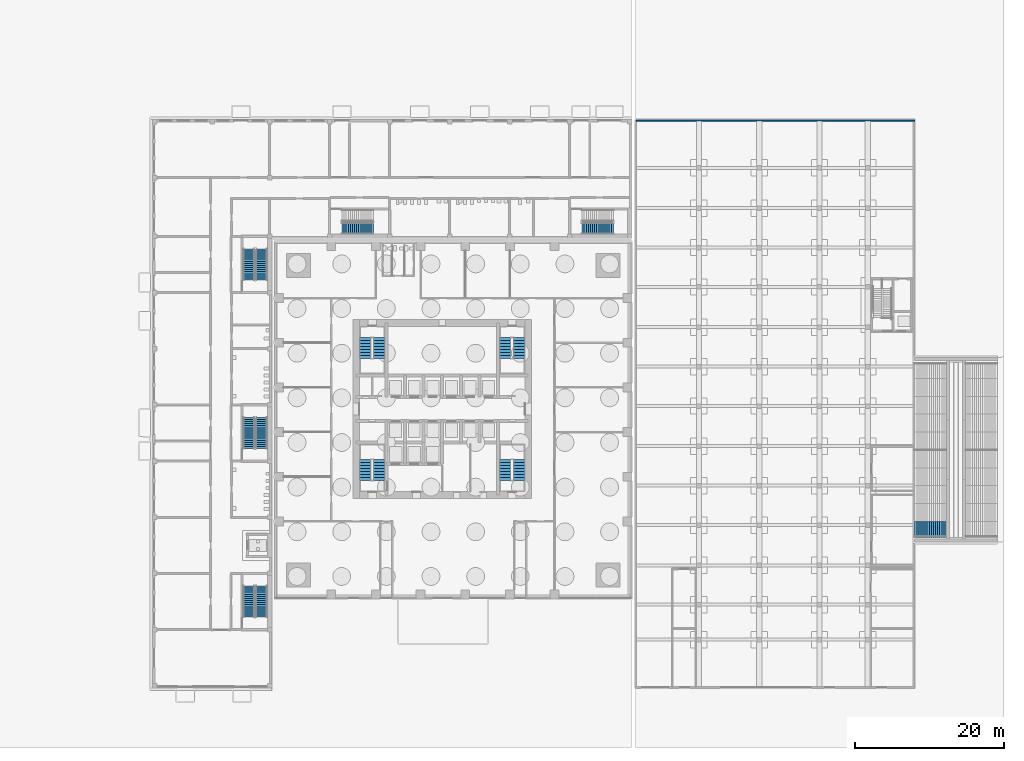
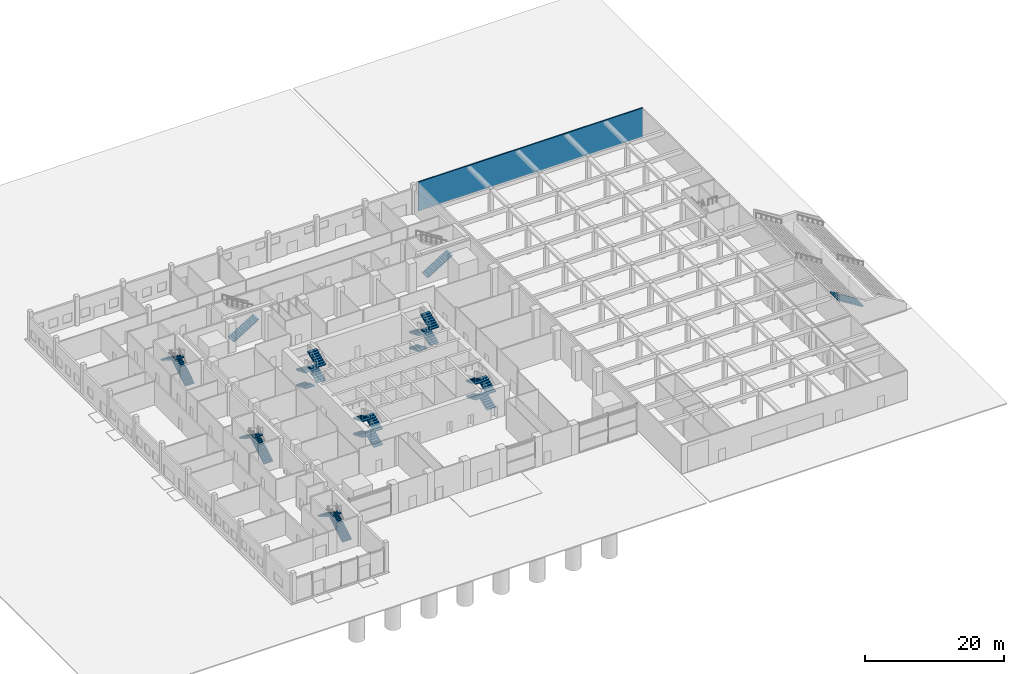
# One storey, part 21 of 33: 25 stair flights, 1 wall, 10 elements without a shape of their own.
"""IFC4 building model written with IfcOpenShell, lengths in metres."""

from ifc_helpers import new_model, si_unit, direction, frame, frame_2d, origin, place, context, subcontext, project, spatial, polyline, rectangle, outline, extrude, material, layer, layer_set, type_object, element, aggregate, save


model = new_model("IFC4")

# Units and contexts
model_context = context("Model", 3, precision=1e-05, world=origin(), true_north=direction((0.0, 1.0)))
body_context = subcontext(model_context, "Body", "Model", "MODEL_VIEW")
ifc_project = project(units=[si_unit("LENGTHUNIT", "METRE"), si_unit("AREAUNIT", "SQUARE_METRE"), si_unit("VOLUMEUNIT", "CUBIC_METRE"), si_unit("PLANEANGLEUNIT", "RADIAN"), si_unit("MASSUNIT", "GRAM", prefix="KILO")], contexts=[model_context])

# Site, building, storey
site_placement = place(None, origin())
site = spatial("IfcSite", under=ifc_project, at=site_placement, CompositionType="ELEMENT")
building_placement = place(site_placement, origin())
building = spatial("IfcBuilding", under=site, at=building_placement, Name="Amberfall Residences", CompositionType="ELEMENT")
storey_placement = place(building_placement, origin())
storey = spatial("IfcBuildingStorey", under=building, at=storey_placement, Name="L00", CompositionType="ELEMENT", Elevation=0.0)

# Wall
ifc_material_1 = material(Name="Reinforced concrete C40", Category="concrete")
ifc_layer = layer(ifc_material_1, 0.199951171875)
ifc_layer_set = layer_set([ifc_layer], Name="Car park wall 200")
wall_type = type_object("IfcWallType", Name="Car park wall 200", PredefinedType="SOLIDWALL", material=ifc_layer_set)
wall_placement = place(storey_placement, frame((100.60009765625, 84.300048828125, 0.0), z_axis=(0.0, 0.0, 1.0), x_axis=(1.0, 0.0, 0.0)))
element("IfcWall", 1, at=wall_placement, inside=storey, type_object=wall_type, Name="Car park north wall", PredefinedType="SOLIDWALL", context=body_context, shape_type="SweptSolid", body=[
    extrude(rectangle(XDim=37.39990234375, YDim=0.199951171875, at=frame_2d((18.699951171875, 0.0))), origin(), (0.0, 0.0, 1.0), 5.080078125),
])

# Stair, stair flight
stair_type_1 = type_object("IfcStairType", Name="Deck stair 24000", PredefinedType="STRAIGHT_RUN_STAIR", material=ifc_material_1)
stair_1_placement = place(storey_placement, origin())
stair_1 = element("IfcStair", 2, at=stair_1_placement, inside=storey, type_object=stair_type_1, Name="Garden deck broad stair", PredefinedType="STRAIGHT_RUN_STAIR")
stair_flight_type_1 = type_object("IfcStairFlightType", Name="Deck stair flight 24000", PredefinedType="STRAIGHT", material=ifc_material_1)
stair_flight_1_placement = place(storey_placement, frame((142.199951171875, 29.199951171875, 2.75), z_axis=(0.0, 0.0, 1.0), x_axis=(-1.0, 0.0, 0.0)))
stair_flight_1 = element("IfcStairFlight", 3, at=stair_flight_1_placement, type_object=stair_flight_type_1, Name="GST1 flight 11", NumberOfRisers=16, NumberOfTreads=15, PredefinedType="STRAIGHT", RiserHeight=0.171875, TreadLength=0.28, context=body_context, shape_type="SweptSolid", body=[
    extrude(outline(polyline([(0.0, 0.0), (0.0, 0.171875), (0.280029296875, 0.171875), (0.280029296875, 0.34375), (0.56005859375, 0.34375), (0.56005859375, 0.515625), (0.840087890625, 0.515625), (0.840087890625, 0.6875), (1.1201171875, 0.6875), (1.1201171875, 0.859375), (1.39990234375, 0.859375), (1.39990234375, 1.03125), (1.679931640625, 1.03125), (1.679931640625, 1.203125), (1.9599609375, 1.203125), (1.9599609375, 1.375), (2.239990234375, 1.375), (2.239990234375, 1.546875), (2.52001953125, 1.546875), (2.52001953125, 1.71875), (2.800048828125, 1.71875), (2.800048828125, 1.890625), (3.080078125, 1.890625), (3.080078125, 2.0625), (3.360107421875, 2.0625), (3.360107421875, 2.234375), (3.639892578125, 2.234375), (3.639892578125, 2.40625), (3.919921875, 2.40625), (3.919921875, 2.578125), (4.199951171875, 2.578125), (4.199951171875, 2.75), (4.199951171875, 2.40234375), (0.28662109375, 0.0), (0.0, 0.0)])), frame((0.0, 1.199951171875, 0.0), z_axis=(0.0, -1.0, 0.0), x_axis=(1.0, 0.0, 0.0)), (0.0, 0.0, 1.0), 2.39990234375),
])
aggregate(stair_1, [stair_flight_1])

# Stair, stair flights
ifc_material_2 = material(Name="Concrete C40", Category="concrete")
stair_type_2 = type_object("IfcStairType", Name="School stair", PredefinedType="HALF_TURN_STAIR", material=ifc_material_2)
stair_2_placement = place(storey_placement, origin())
stair_2 = element("IfcStair", 4, at=stair_2_placement, inside=storey, type_object=stair_type_2, Name="L00 Stair SS1", PredefinedType="HALF_TURN_STAIR")
stair_flight_type_2 = type_object("IfcStairFlightType", Name="School stair flight", PredefinedType="STRAIGHT", material=ifc_material_2)
stair_flight_2_placement = place(storey_placement, frame((50.22509765625, 17.52490234375, 0.0), z_axis=(0.0, 0.0, 1.0), x_axis=(0.0, 1.0, 0.0)))
stair_flight_2 = element("IfcStairFlight", 5, at=stair_flight_2_placement, type_object=stair_flight_type_2, Name="SS1 flight 1", NumberOfRisers=16, NumberOfTreads=15, PredefinedType="STRAIGHT", RiserHeight=0.171875, TreadLength=0.28, context=body_context, shape_type="SweptSolid", body=[
    extrude(outline(polyline([(0.0, 0.0), (0.0, 0.171875), (0.280029296875, 0.171875), (0.280029296875, 0.34375), (0.56005859375, 0.34375), (0.56005859375, 0.515625), (0.840087890625, 0.515625), (0.840087890625, 0.6875), (1.1201171875, 0.6875), (1.1201171875, 0.859375), (1.39990234375, 0.859375), (1.39990234375, 1.03125), (1.679931640625, 1.03125), (1.679931640625, 1.203125), (1.9599609375, 1.203125), (1.9599609375, 1.375), (2.239990234375, 1.375), (2.239990234375, 1.546875), (2.52001953125, 1.546875), (2.52001953125, 1.71875), (2.800048828125, 1.71875), (2.800048828125, 1.890625), (3.080078125, 1.890625), (3.080078125, 2.0625), (3.360107421875, 2.0625), (3.360107421875, 2.234375), (3.639892578125, 2.234375), (3.639892578125, 2.40625), (3.919921875, 2.40625), (3.919921875, 2.578125), (4.199951171875, 2.578125), (4.199951171875, 2.75), (4.199951171875, 2.40234375), (0.28662109375, 0.0), (0.0, 0.0)])), frame((0.0, 0.77490234375, 0.0), z_axis=(0.0, -1.0, 0.0), x_axis=(1.0, 0.0, 0.0)), (0.0, 0.0, 1.0), 1.550048828125),
])
stair_flight_3_placement = place(storey_placement, frame((48.52490234375, 21.72509765625, 2.75), z_axis=(0.0, 0.0, 1.0), x_axis=(0.0, -1.0, 0.0)))
stair_flight_3 = element("IfcStairFlight", 6, at=stair_flight_3_placement, type_object=stair_flight_type_2, Name="SS1 flight 2", NumberOfRisers=16, NumberOfTreads=15, PredefinedType="STRAIGHT", RiserHeight=0.171875, TreadLength=0.28, context=body_context, shape_type="SweptSolid", body=[
    extrude(outline(polyline([(0.0, 0.0), (0.0, 0.171875), (0.280029296875, 0.171875), (0.280029296875, 0.34375), (0.56005859375, 0.34375), (0.56005859375, 0.515625), (0.840087890625, 0.515625), (0.840087890625, 0.6875), (1.1201171875, 0.6875), (1.1201171875, 0.859375), (1.39990234375, 0.859375), (1.39990234375, 1.03125), (1.679931640625, 1.03125), (1.679931640625, 1.203125), (1.9599609375, 1.203125), (1.9599609375, 1.375), (2.239990234375, 1.375), (2.239990234375, 1.546875), (2.52001953125, 1.546875), (2.52001953125, 1.71875), (2.800048828125, 1.71875), (2.800048828125, 1.890625), (3.080078125, 1.890625), (3.080078125, 2.0625), (3.360107421875, 2.0625), (3.360107421875, 2.234375), (3.639892578125, 2.234375), (3.639892578125, 2.40625), (3.919921875, 2.40625), (3.919921875, 2.578125), (4.199951171875, 2.578125), (4.199951171875, 2.75), (4.199951171875, 2.40234375), (0.28662109375, 0.0), (0.0, 0.0)])), frame((0.0, 0.77490234375, 0.0), z_axis=(0.0, -1.0, 0.0), x_axis=(1.0, 0.0, 0.0)), (0.0, 0.0, 1.0), 1.550048828125),
])
aggregate(stair_2, [stair_flight_2, stair_flight_3])

stair_3_placement = place(storey_placement, origin())
stair_3 = element("IfcStair", 7, at=stair_3_placement, inside=storey, type_object=stair_type_2, Name="L00 Stair SS2", PredefinedType="HALF_TURN_STAIR")
stair_flight_4_placement = place(storey_placement, frame((50.22509765625, 40.175048828125, 0.0), z_axis=(0.0, 0.0, 1.0), x_axis=(0.0, 1.0, 0.0)))
stair_flight_4 = element("IfcStairFlight", 8, at=stair_flight_4_placement, type_object=stair_flight_type_2, Name="SS2 flight 1", NumberOfRisers=16, NumberOfTreads=15, PredefinedType="STRAIGHT", RiserHeight=0.171875, TreadLength=0.28, context=body_context, shape_type="SweptSolid", body=[
    extrude(outline(polyline([(0.0, 0.0), (0.0, 0.171875), (0.280029296875, 0.171875), (0.280029296875, 0.34375), (0.56005859375, 0.34375), (0.56005859375, 0.515625), (0.840087890625, 0.515625), (0.840087890625, 0.6875), (1.1201171875, 0.6875), (1.1201171875, 0.859375), (1.39990234375, 0.859375), (1.39990234375, 1.03125), (1.679931640625, 1.03125), (1.679931640625, 1.203125), (1.9599609375, 1.203125), (1.9599609375, 1.375), (2.239990234375, 1.375), (2.239990234375, 1.546875), (2.52001953125, 1.546875), (2.52001953125, 1.71875), (2.800048828125, 1.71875), (2.800048828125, 1.890625), (3.080078125, 1.890625), (3.080078125, 2.0625), (3.360107421875, 2.0625), (3.360107421875, 2.234375), (3.639892578125, 2.234375), (3.639892578125, 2.40625), (3.919921875, 2.40625), (3.919921875, 2.578125), (4.199951171875, 2.578125), (4.199951171875, 2.75), (4.199951171875, 2.40234375), (0.28662109375, 0.0), (0.0, 0.0)])), frame((0.0, 0.77490234375, 0.0), z_axis=(0.0, -1.0, 0.0), x_axis=(1.0, 0.0, 0.0)), (0.0, 0.0, 1.0), 1.550048828125),
])
stair_flight_5_placement = place(storey_placement, frame((48.52490234375, 44.375, 2.75), z_axis=(0.0, 0.0, 1.0), x_axis=(0.0, -1.0, 0.0)))
stair_flight_5 = element("IfcStairFlight", 9, at=stair_flight_5_placement, type_object=stair_flight_type_2, Name="SS2 flight 2", NumberOfRisers=16, NumberOfTreads=15, PredefinedType="STRAIGHT", RiserHeight=0.171875, TreadLength=0.28, context=body_context, shape_type="SweptSolid", body=[
    extrude(outline(polyline([(0.0, 0.0), (0.0, 0.171875), (0.280029296875, 0.171875), (0.280029296875, 0.34375), (0.56005859375, 0.34375), (0.56005859375, 0.515625), (0.840087890625, 0.515625), (0.840087890625, 0.6875), (1.1201171875, 0.6875), (1.1201171875, 0.859375), (1.39990234375, 0.859375), (1.39990234375, 1.03125), (1.679931640625, 1.03125), (1.679931640625, 1.203125), (1.9599609375, 1.203125), (1.9599609375, 1.375), (2.239990234375, 1.375), (2.239990234375, 1.546875), (2.52001953125, 1.546875), (2.52001953125, 1.71875), (2.800048828125, 1.71875), (2.800048828125, 1.890625), (3.080078125, 1.890625), (3.080078125, 2.0625), (3.360107421875, 2.0625), (3.360107421875, 2.234375), (3.639892578125, 2.234375), (3.639892578125, 2.40625), (3.919921875, 2.40625), (3.919921875, 2.578125), (4.199951171875, 2.578125), (4.199951171875, 2.75), (4.199951171875, 2.40234375), (0.28662109375, 0.0), (0.0, 0.0)])), frame((0.0, 0.77490234375, 0.0), z_axis=(0.0, -1.0, 0.0), x_axis=(1.0, 0.0, 0.0)), (0.0, 0.0, 1.0), 1.550048828125),
])
aggregate(stair_3, [stair_flight_4, stair_flight_5])

stair_4_placement = place(storey_placement, origin())
stair_4 = element("IfcStair", 10, at=stair_4_placement, inside=storey, type_object=stair_type_2, Name="L00 Stair SS3", PredefinedType="HALF_TURN_STAIR")
stair_flight_6_placement = place(storey_placement, frame((50.22509765625, 62.824951171875, 0.0), z_axis=(0.0, 0.0, 1.0), x_axis=(0.0, 1.0, 0.0)))
stair_flight_6 = element("IfcStairFlight", 11, at=stair_flight_6_placement, type_object=stair_flight_type_2, Name="SS3 flight 1", NumberOfRisers=16, NumberOfTreads=15, PredefinedType="STRAIGHT", RiserHeight=0.171875, TreadLength=0.28, context=body_context, shape_type="SweptSolid", body=[
    extrude(outline(polyline([(0.0, 0.0), (0.0, 0.171875), (0.280029296875, 0.171875), (0.280029296875, 0.34375), (0.56005859375, 0.34375), (0.56005859375, 0.515625), (0.840087890625, 0.515625), (0.840087890625, 0.6875), (1.1201171875, 0.6875), (1.1201171875, 0.859375), (1.39990234375, 0.859375), (1.39990234375, 1.03125), (1.679931640625, 1.03125), (1.679931640625, 1.203125), (1.9599609375, 1.203125), (1.9599609375, 1.375), (2.239990234375, 1.375), (2.239990234375, 1.546875), (2.52001953125, 1.546875), (2.52001953125, 1.71875), (2.800048828125, 1.71875), (2.800048828125, 1.890625), (3.080078125, 1.890625), (3.080078125, 2.0625), (3.360107421875, 2.0625), (3.360107421875, 2.234375), (3.639892578125, 2.234375), (3.639892578125, 2.40625), (3.919921875, 2.40625), (3.919921875, 2.578125), (4.199951171875, 2.578125), (4.199951171875, 2.75), (4.199951171875, 2.40234375), (0.28662109375, 0.0), (0.0, 0.0)])), frame((0.0, 0.77490234375, 0.0), z_axis=(0.0, -1.0, 0.0), x_axis=(1.0, 0.0, 0.0)), (0.0, 0.0, 1.0), 1.550048828125),
])
stair_flight_7_placement = place(storey_placement, frame((48.52490234375, 67.02490234375, 2.75), z_axis=(0.0, 0.0, 1.0), x_axis=(0.0, -1.0, 0.0)))
stair_flight_7 = element("IfcStairFlight", 12, at=stair_flight_7_placement, type_object=stair_flight_type_2, Name="SS3 flight 2", NumberOfRisers=16, NumberOfTreads=15, PredefinedType="STRAIGHT", RiserHeight=0.171875, TreadLength=0.28, context=body_context, shape_type="SweptSolid", body=[
    extrude(outline(polyline([(0.0, 0.0), (0.0, 0.171875), (0.280029296875, 0.171875), (0.280029296875, 0.34375), (0.56005859375, 0.34375), (0.56005859375, 0.515625), (0.840087890625, 0.515625), (0.840087890625, 0.6875), (1.1201171875, 0.6875), (1.1201171875, 0.859375), (1.39990234375, 0.859375), (1.39990234375, 1.03125), (1.679931640625, 1.03125), (1.679931640625, 1.203125), (1.9599609375, 1.203125), (1.9599609375, 1.375), (2.239990234375, 1.375), (2.239990234375, 1.546875), (2.52001953125, 1.546875), (2.52001953125, 1.71875), (2.800048828125, 1.71875), (2.800048828125, 1.890625), (3.080078125, 1.890625), (3.080078125, 2.0625), (3.360107421875, 2.0625), (3.360107421875, 2.234375), (3.639892578125, 2.234375), (3.639892578125, 2.40625), (3.919921875, 2.40625), (3.919921875, 2.578125), (4.199951171875, 2.578125), (4.199951171875, 2.75), (4.199951171875, 2.40234375), (0.28662109375, 0.0), (0.0, 0.0)])), frame((0.0, 0.77490234375, 0.0), z_axis=(0.0, -1.0, 0.0), x_axis=(1.0, 0.0, 0.0)), (0.0, 0.0, 1.0), 1.550048828125),
])
aggregate(stair_4, [stair_flight_6, stair_flight_7])

# Stair, stair flight
stair_5_placement = place(storey_placement, origin())
stair_5 = element("IfcStair", 13, at=stair_5_placement, inside=storey, type_object=stair_type_2, Name="L00 Stair SS4", PredefinedType="HALF_TURN_STAIR")
stair_flight_8_placement = place(storey_placement, frame((61.0419921875, 69.77490234375, 0.0), z_axis=(0.0, 0.0, 1.0), x_axis=(1.0, 0.0, 0.0)))
stair_flight_8 = element("IfcStairFlight", 14, at=stair_flight_8_placement, type_object=stair_flight_type_2, Name="SS4 flight 1", NumberOfRisers=16, NumberOfTreads=15, PredefinedType="STRAIGHT", RiserHeight=0.171875, TreadLength=0.28, context=body_context, shape_type="SweptSolid", body=[
    extrude(outline(polyline([(0.0, 0.0), (0.0, 0.171875), (0.280029296875, 0.171875), (0.280029296875, 0.34375), (0.56005859375, 0.34375), (0.56005859375, 0.515625), (0.840087890625, 0.515625), (0.840087890625, 0.6875), (1.1201171875, 0.6875), (1.1201171875, 0.859375), (1.39990234375, 0.859375), (1.39990234375, 1.03125), (1.679931640625, 1.03125), (1.679931640625, 1.203125), (1.9599609375, 1.203125), (1.9599609375, 1.375), (2.239990234375, 1.375), (2.239990234375, 1.546875), (2.52001953125, 1.546875), (2.52001953125, 1.71875), (2.800048828125, 1.71875), (2.800048828125, 1.890625), (3.080078125, 1.890625), (3.080078125, 2.0625), (3.360107421875, 2.0625), (3.360107421875, 2.234375), (3.639892578125, 2.234375), (3.639892578125, 2.40625), (3.919921875, 2.40625), (3.919921875, 2.578125), (4.199951171875, 2.578125), (4.199951171875, 2.75), (4.199951171875, 2.40234375), (0.28662109375, 0.0), (0.0, 0.0)])), frame((0.0, 0.77490234375, 0.0), z_axis=(0.0, -1.0, 0.0), x_axis=(1.0, 0.0, 0.0)), (0.0, 0.0, 1.0), 1.550048828125),
])
aggregate(stair_5, [stair_flight_8])

stair_6_placement = place(storey_placement, origin())
stair_6 = element("IfcStair", 15, at=stair_6_placement, inside=storey, type_object=stair_type_2, Name="L00 Stair SS5", PredefinedType="HALF_TURN_STAIR")
stair_flight_9_placement = place(storey_placement, frame((93.30810546875, 69.77490234375, 0.0), z_axis=(0.0, 0.0, 1.0), x_axis=(1.0, 0.0, 0.0)))
stair_flight_9 = element("IfcStairFlight", 16, at=stair_flight_9_placement, type_object=stair_flight_type_2, Name="SS5 flight 1", NumberOfRisers=16, NumberOfTreads=15, PredefinedType="STRAIGHT", RiserHeight=0.171875, TreadLength=0.28, context=body_context, shape_type="SweptSolid", body=[
    extrude(outline(polyline([(0.0, 0.0), (0.0, 0.171875), (0.280029296875, 0.171875), (0.280029296875, 0.34375), (0.56005859375, 0.34375), (0.56005859375, 0.515625), (0.840087890625, 0.515625), (0.840087890625, 0.6875), (1.1201171875, 0.6875), (1.1201171875, 0.859375), (1.39990234375, 0.859375), (1.39990234375, 1.03125), (1.679931640625, 1.03125), (1.679931640625, 1.203125), (1.9599609375, 1.203125), (1.9599609375, 1.375), (2.239990234375, 1.375), (2.239990234375, 1.546875), (2.52001953125, 1.546875), (2.52001953125, 1.71875), (2.800048828125, 1.71875), (2.800048828125, 1.890625), (3.080078125, 1.890625), (3.080078125, 2.0625), (3.360107421875, 2.0625), (3.360107421875, 2.234375), (3.639892578125, 2.234375), (3.639892578125, 2.40625), (3.919921875, 2.40625), (3.919921875, 2.578125), (4.199951171875, 2.578125), (4.199951171875, 2.75), (4.199951171875, 2.40234375), (0.28662109375, 0.0), (0.0, 0.0)])), frame((0.0, 0.77490234375, 0.0), z_axis=(0.0, -1.0, 0.0), x_axis=(1.0, 0.0, 0.0)), (0.0, 0.0, 1.0), 1.550048828125),
])
aggregate(stair_6, [stair_flight_9])

# Stair, stair flights
stair_type_3 = type_object("IfcStairType", Name="Exit stair 32 risers 171.9 mm", PredefinedType="HALF_TURN_STAIR", material=ifc_material_2)
stair_7_placement = place(storey_placement, origin())
stair_7 = element("IfcStair", 17, at=stair_7_placement, inside=storey, type_object=stair_type_3, Name="L00 Exit stair 1", PredefinedType="HALF_TURN_STAIR")
stair_flight_type_3 = type_object("IfcStairFlightType", Name="Stair flight 8 risers 171.9 mm", PredefinedType="STRAIGHT", material=ifc_material_2)
stair_flight_10_placement = place(storey_placement, frame((66.050048828125, 35.89990234375, 0.0), z_axis=(0.0, 0.0, 1.0), x_axis=(0.0, 1.0, 0.0)))
stair_flight_10 = element("IfcStairFlight", 18, at=stair_flight_10_placement, type_object=stair_flight_type_3, Name="ST1 flight 1", NumberOfRisers=8, NumberOfTreads=7, PredefinedType="STRAIGHT", RiserHeight=0.171875, TreadLength=0.4, context=body_context, shape_type="SweptSolid", body=[
    extrude(outline(polyline([(0.0, 0.0), (0.0, 0.171875), (0.39990234375, 0.171875), (0.39990234375, 0.34375), (0.800048828125, 0.34375), (0.800048828125, 0.515625), (1.199951171875, 0.515625), (1.199951171875, 0.6875), (1.60009765625, 0.6875), (1.60009765625, 0.859375), (2.0, 0.859375), (2.0, 1.03125), (2.39990234375, 1.03125), (2.39990234375, 1.203125), (2.800048828125, 1.203125), (2.800048828125, 1.375), (2.800048828125, 1.0400390625), (0.379638671875, 0.0), (0.0, 0.0)])), frame((0.0, 0.75, 0.0), z_axis=(0.0, -1.0, 0.0), x_axis=(1.0, 0.0, 0.0)), (0.0, 0.0, 1.0), 1.5),
])
stair_flight_11_placement = place(storey_placement, frame((64.14990234375, 38.699951171875, 1.375), z_axis=(0.0, 0.0, 1.0), x_axis=(0.0, -1.0, 0.0)))
stair_flight_11 = element("IfcStairFlight", 19, at=stair_flight_11_placement, type_object=stair_flight_type_3, Name="ST1 flight 2", NumberOfRisers=8, NumberOfTreads=7, PredefinedType="STRAIGHT", RiserHeight=0.171875, TreadLength=0.4, context=body_context, shape_type="SweptSolid", body=[
    extrude(outline(polyline([(0.0, 0.0), (0.0, 0.171875), (0.39990234375, 0.171875), (0.39990234375, 0.34375), (0.800048828125, 0.34375), (0.800048828125, 0.515625), (1.199951171875, 0.515625), (1.199951171875, 0.6875), (1.60009765625, 0.6875), (1.60009765625, 0.859375), (2.0, 0.859375), (2.0, 1.03125), (2.39990234375, 1.03125), (2.39990234375, 1.203125), (2.800048828125, 1.203125), (2.800048828125, 1.375), (2.800048828125, 1.0400390625), (0.379638671875, 0.0), (0.0, 0.0)])), frame((0.0, 0.75, 0.0), z_axis=(0.0, -1.0, 0.0), x_axis=(1.0, 0.0, 0.0)), (0.0, 0.0, 1.0), 1.5),
])
stair_flight_12_placement = place(storey_placement, frame((66.050048828125, 35.89990234375, 2.75), z_axis=(0.0, 0.0, 1.0), x_axis=(0.0, 1.0, 0.0)))
stair_flight_12 = element("IfcStairFlight", 20, at=stair_flight_12_placement, type_object=stair_flight_type_3, Name="ST1 flight 3", NumberOfRisers=8, NumberOfTreads=7, PredefinedType="STRAIGHT", RiserHeight=0.171875, TreadLength=0.4, context=body_context, shape_type="SweptSolid", body=[
    extrude(outline(polyline([(0.0, 0.0), (0.0, 0.171875), (0.39990234375, 0.171875), (0.39990234375, 0.34375), (0.800048828125, 0.34375), (0.800048828125, 0.515625), (1.199951171875, 0.515625), (1.199951171875, 0.6875), (1.60009765625, 0.6875), (1.60009765625, 0.859375), (2.0, 0.859375), (2.0, 1.03125), (2.39990234375, 1.03125), (2.39990234375, 1.203125), (2.800048828125, 1.203125), (2.800048828125, 1.375), (2.800048828125, 1.0400390625), (0.379638671875, 0.0), (0.0, 0.0)])), frame((0.0, 0.75, 0.0), z_axis=(0.0, -1.0, 0.0), x_axis=(1.0, 0.0, 0.0)), (0.0, 0.0, 1.0), 1.5),
])
stair_flight_13_placement = place(storey_placement, frame((64.14990234375, 38.699951171875, 4.125), z_axis=(0.0, 0.0, 1.0), x_axis=(0.0, -1.0, 0.0)))
stair_flight_13 = element("IfcStairFlight", 21, at=stair_flight_13_placement, type_object=stair_flight_type_3, Name="ST1 flight 4", NumberOfRisers=8, NumberOfTreads=7, PredefinedType="STRAIGHT", RiserHeight=0.171875, TreadLength=0.4, context=body_context, shape_type="SweptSolid", body=[
    extrude(outline(polyline([(0.0, 0.0), (0.0, 0.171875), (0.39990234375, 0.171875), (0.39990234375, 0.34375), (0.800048828125, 0.34375), (0.800048828125, 0.515625), (1.199951171875, 0.515625), (1.199951171875, 0.6875), (1.60009765625, 0.6875), (1.60009765625, 0.859375), (2.0, 0.859375), (2.0, 1.03125), (2.39990234375, 1.03125), (2.39990234375, 1.203125), (2.800048828125, 1.203125), (2.800048828125, 1.375), (2.800048828125, 1.0400390625), (0.379638671875, 0.0), (0.0, 0.0)])), frame((0.0, 0.75, 0.0), z_axis=(0.0, -1.0, 0.0), x_axis=(1.0, 0.0, 0.0)), (0.0, 0.0, 1.0), 1.5),
])
aggregate(stair_7, [stair_flight_10, stair_flight_11, stair_flight_12, stair_flight_13])

stair_8_placement = place(storey_placement, origin())
stair_8 = element("IfcStair", 22, at=stair_8_placement, inside=storey, type_object=stair_type_3, Name="L00 Exit stair 2", PredefinedType="HALF_TURN_STAIR")
stair_flight_14_placement = place(storey_placement, frame((84.85009765625, 35.89990234375, 0.0), z_axis=(0.0, 0.0, 1.0), x_axis=(0.0, 1.0, 0.0)))
stair_flight_14 = element("IfcStairFlight", 23, at=stair_flight_14_placement, type_object=stair_flight_type_3, Name="ST1 flight 1", NumberOfRisers=8, NumberOfTreads=7, PredefinedType="STRAIGHT", RiserHeight=0.171875, TreadLength=0.4, context=body_context, shape_type="SweptSolid", body=[
    extrude(outline(polyline([(0.0, 0.0), (0.0, 0.171875), (0.39990234375, 0.171875), (0.39990234375, 0.34375), (0.800048828125, 0.34375), (0.800048828125, 0.515625), (1.199951171875, 0.515625), (1.199951171875, 0.6875), (1.60009765625, 0.6875), (1.60009765625, 0.859375), (2.0, 0.859375), (2.0, 1.03125), (2.39990234375, 1.03125), (2.39990234375, 1.203125), (2.800048828125, 1.203125), (2.800048828125, 1.375), (2.800048828125, 1.0400390625), (0.379638671875, 0.0), (0.0, 0.0)])), frame((0.0, 0.75, 0.0), z_axis=(0.0, -1.0, 0.0), x_axis=(1.0, 0.0, 0.0)), (0.0, 0.0, 1.0), 1.5),
])
stair_flight_15_placement = place(storey_placement, frame((82.949951171875, 38.699951171875, 1.375), z_axis=(0.0, 0.0, 1.0), x_axis=(0.0, -1.0, 0.0)))
stair_flight_15 = element("IfcStairFlight", 24, at=stair_flight_15_placement, type_object=stair_flight_type_3, Name="ST1 flight 2", NumberOfRisers=8, NumberOfTreads=7, PredefinedType="STRAIGHT", RiserHeight=0.171875, TreadLength=0.4, context=body_context, shape_type="SweptSolid", body=[
    extrude(outline(polyline([(0.0, 0.0), (0.0, 0.171875), (0.39990234375, 0.171875), (0.39990234375, 0.34375), (0.800048828125, 0.34375), (0.800048828125, 0.515625), (1.199951171875, 0.515625), (1.199951171875, 0.6875), (1.60009765625, 0.6875), (1.60009765625, 0.859375), (2.0, 0.859375), (2.0, 1.03125), (2.39990234375, 1.03125), (2.39990234375, 1.203125), (2.800048828125, 1.203125), (2.800048828125, 1.375), (2.800048828125, 1.0400390625), (0.379638671875, 0.0), (0.0, 0.0)])), frame((0.0, 0.75, 0.0), z_axis=(0.0, -1.0, 0.0), x_axis=(1.0, 0.0, 0.0)), (0.0, 0.0, 1.0), 1.5),
])
stair_flight_16_placement = place(storey_placement, frame((84.85009765625, 35.89990234375, 2.75), z_axis=(0.0, 0.0, 1.0), x_axis=(0.0, 1.0, 0.0)))
stair_flight_16 = element("IfcStairFlight", 25, at=stair_flight_16_placement, type_object=stair_flight_type_3, Name="ST1 flight 3", NumberOfRisers=8, NumberOfTreads=7, PredefinedType="STRAIGHT", RiserHeight=0.171875, TreadLength=0.4, context=body_context, shape_type="SweptSolid", body=[
    extrude(outline(polyline([(0.0, 0.0), (0.0, 0.171875), (0.39990234375, 0.171875), (0.39990234375, 0.34375), (0.800048828125, 0.34375), (0.800048828125, 0.515625), (1.199951171875, 0.515625), (1.199951171875, 0.6875), (1.60009765625, 0.6875), (1.60009765625, 0.859375), (2.0, 0.859375), (2.0, 1.03125), (2.39990234375, 1.03125), (2.39990234375, 1.203125), (2.800048828125, 1.203125), (2.800048828125, 1.375), (2.800048828125, 1.0400390625), (0.379638671875, 0.0), (0.0, 0.0)])), frame((0.0, 0.75, 0.0), z_axis=(0.0, -1.0, 0.0), x_axis=(1.0, 0.0, 0.0)), (0.0, 0.0, 1.0), 1.5),
])
stair_flight_17_placement = place(storey_placement, frame((82.949951171875, 38.699951171875, 4.125), z_axis=(0.0, 0.0, 1.0), x_axis=(0.0, -1.0, 0.0)))
stair_flight_17 = element("IfcStairFlight", 26, at=stair_flight_17_placement, type_object=stair_flight_type_3, Name="ST1 flight 4", NumberOfRisers=8, NumberOfTreads=7, PredefinedType="STRAIGHT", RiserHeight=0.171875, TreadLength=0.4, context=body_context, shape_type="SweptSolid", body=[
    extrude(outline(polyline([(0.0, 0.0), (0.0, 0.171875), (0.39990234375, 0.171875), (0.39990234375, 0.34375), (0.800048828125, 0.34375), (0.800048828125, 0.515625), (1.199951171875, 0.515625), (1.199951171875, 0.6875), (1.60009765625, 0.6875), (1.60009765625, 0.859375), (2.0, 0.859375), (2.0, 1.03125), (2.39990234375, 1.03125), (2.39990234375, 1.203125), (2.800048828125, 1.203125), (2.800048828125, 1.375), (2.800048828125, 1.0400390625), (0.379638671875, 0.0), (0.0, 0.0)])), frame((0.0, 0.75, 0.0), z_axis=(0.0, -1.0, 0.0), x_axis=(1.0, 0.0, 0.0)), (0.0, 0.0, 1.0), 1.5),
])
aggregate(stair_8, [stair_flight_14, stair_flight_15, stair_flight_16, stair_flight_17])

stair_9_placement = place(storey_placement, origin())
stair_9 = element("IfcStair", 27, at=stair_9_placement, inside=storey, type_object=stair_type_3, Name="L00 Exit stair 3", PredefinedType="HALF_TURN_STAIR")
stair_flight_18_placement = place(storey_placement, frame((82.949951171875, 55.10009765625, 0.0), z_axis=(0.0, 0.0, 1.0), x_axis=(0.0, -1.0, 0.0)))
stair_flight_18 = element("IfcStairFlight", 28, at=stair_flight_18_placement, type_object=stair_flight_type_3, Name="ST1 flight 1", NumberOfRisers=8, NumberOfTreads=7, PredefinedType="STRAIGHT", RiserHeight=0.171875, TreadLength=0.4, context=body_context, shape_type="SweptSolid", body=[
    extrude(outline(polyline([(0.0, 0.0), (0.0, 0.171875), (0.39990234375, 0.171875), (0.39990234375, 0.34375), (0.800048828125, 0.34375), (0.800048828125, 0.515625), (1.199951171875, 0.515625), (1.199951171875, 0.6875), (1.60009765625, 0.6875), (1.60009765625, 0.859375), (2.0, 0.859375), (2.0, 1.03125), (2.39990234375, 1.03125), (2.39990234375, 1.203125), (2.800048828125, 1.203125), (2.800048828125, 1.375), (2.800048828125, 1.0400390625), (0.379638671875, 0.0), (0.0, 0.0)])), frame((0.0, 0.75, 0.0), z_axis=(0.0, -1.0, 0.0), x_axis=(1.0, 0.0, 0.0)), (0.0, 0.0, 1.0), 1.5),
])
stair_flight_19_placement = place(storey_placement, frame((84.85009765625, 52.300048828125, 1.375), z_axis=(0.0, 0.0, 1.0), x_axis=(0.0, 1.0, 0.0)))
stair_flight_19 = element("IfcStairFlight", 29, at=stair_flight_19_placement, type_object=stair_flight_type_3, Name="ST1 flight 2", NumberOfRisers=8, NumberOfTreads=7, PredefinedType="STRAIGHT", RiserHeight=0.171875, TreadLength=0.4, context=body_context, shape_type="SweptSolid", body=[
    extrude(outline(polyline([(0.0, 0.0), (0.0, 0.171875), (0.39990234375, 0.171875), (0.39990234375, 0.34375), (0.800048828125, 0.34375), (0.800048828125, 0.515625), (1.199951171875, 0.515625), (1.199951171875, 0.6875), (1.60009765625, 0.6875), (1.60009765625, 0.859375), (2.0, 0.859375), (2.0, 1.03125), (2.39990234375, 1.03125), (2.39990234375, 1.203125), (2.800048828125, 1.203125), (2.800048828125, 1.375), (2.800048828125, 1.0400390625), (0.379638671875, 0.0), (0.0, 0.0)])), frame((0.0, 0.75, 0.0), z_axis=(0.0, -1.0, 0.0), x_axis=(1.0, 0.0, 0.0)), (0.0, 0.0, 1.0), 1.5),
])
stair_flight_20_placement = place(storey_placement, frame((82.949951171875, 55.10009765625, 2.75), z_axis=(0.0, 0.0, 1.0), x_axis=(0.0, -1.0, 0.0)))
stair_flight_20 = element("IfcStairFlight", 30, at=stair_flight_20_placement, type_object=stair_flight_type_3, Name="ST1 flight 3", NumberOfRisers=8, NumberOfTreads=7, PredefinedType="STRAIGHT", RiserHeight=0.171875, TreadLength=0.4, context=body_context, shape_type="SweptSolid", body=[
    extrude(outline(polyline([(0.0, 0.0), (0.0, 0.171875), (0.39990234375, 0.171875), (0.39990234375, 0.34375), (0.800048828125, 0.34375), (0.800048828125, 0.515625), (1.199951171875, 0.515625), (1.199951171875, 0.6875), (1.60009765625, 0.6875), (1.60009765625, 0.859375), (2.0, 0.859375), (2.0, 1.03125), (2.39990234375, 1.03125), (2.39990234375, 1.203125), (2.800048828125, 1.203125), (2.800048828125, 1.375), (2.800048828125, 1.0400390625), (0.379638671875, 0.0), (0.0, 0.0)])), frame((0.0, 0.75, 0.0), z_axis=(0.0, -1.0, 0.0), x_axis=(1.0, 0.0, 0.0)), (0.0, 0.0, 1.0), 1.5),
])
stair_flight_21_placement = place(storey_placement, frame((84.85009765625, 52.300048828125, 4.125), z_axis=(0.0, 0.0, 1.0), x_axis=(0.0, 1.0, 0.0)))
stair_flight_21 = element("IfcStairFlight", 31, at=stair_flight_21_placement, type_object=stair_flight_type_3, Name="ST1 flight 4", NumberOfRisers=8, NumberOfTreads=7, PredefinedType="STRAIGHT", RiserHeight=0.171875, TreadLength=0.4, context=body_context, shape_type="SweptSolid", body=[
    extrude(outline(polyline([(0.0, 0.0), (0.0, 0.171875), (0.39990234375, 0.171875), (0.39990234375, 0.34375), (0.800048828125, 0.34375), (0.800048828125, 0.515625), (1.199951171875, 0.515625), (1.199951171875, 0.6875), (1.60009765625, 0.6875), (1.60009765625, 0.859375), (2.0, 0.859375), (2.0, 1.03125), (2.39990234375, 1.03125), (2.39990234375, 1.203125), (2.800048828125, 1.203125), (2.800048828125, 1.375), (2.800048828125, 1.0400390625), (0.379638671875, 0.0), (0.0, 0.0)])), frame((0.0, 0.75, 0.0), z_axis=(0.0, -1.0, 0.0), x_axis=(1.0, 0.0, 0.0)), (0.0, 0.0, 1.0), 1.5),
])
aggregate(stair_9, [stair_flight_18, stair_flight_19, stair_flight_20, stair_flight_21])

stair_10_placement = place(storey_placement, origin())
stair_10 = element("IfcStair", 32, at=stair_10_placement, inside=storey, type_object=stair_type_3, Name="L00 Exit stair 4", PredefinedType="HALF_TURN_STAIR")
stair_flight_22_placement = place(storey_placement, frame((64.14990234375, 55.10009765625, 0.0), z_axis=(0.0, 0.0, 1.0), x_axis=(0.0, -1.0, 0.0)))
stair_flight_22 = element("IfcStairFlight", 33, at=stair_flight_22_placement, type_object=stair_flight_type_3, Name="ST1 flight 1", NumberOfRisers=8, NumberOfTreads=7, PredefinedType="STRAIGHT", RiserHeight=0.171875, TreadLength=0.4, context=body_context, shape_type="SweptSolid", body=[
    extrude(outline(polyline([(0.0, 0.0), (0.0, 0.171875), (0.39990234375, 0.171875), (0.39990234375, 0.34375), (0.800048828125, 0.34375), (0.800048828125, 0.515625), (1.199951171875, 0.515625), (1.199951171875, 0.6875), (1.60009765625, 0.6875), (1.60009765625, 0.859375), (2.0, 0.859375), (2.0, 1.03125), (2.39990234375, 1.03125), (2.39990234375, 1.203125), (2.800048828125, 1.203125), (2.800048828125, 1.375), (2.800048828125, 1.0400390625), (0.379638671875, 0.0), (0.0, 0.0)])), frame((0.0, 0.75, 0.0), z_axis=(0.0, -1.0, 0.0), x_axis=(1.0, 0.0, 0.0)), (0.0, 0.0, 1.0), 1.5),
])
stair_flight_23_placement = place(storey_placement, frame((66.050048828125, 52.300048828125, 1.375), z_axis=(0.0, 0.0, 1.0), x_axis=(0.0, 1.0, 0.0)))
stair_flight_23 = element("IfcStairFlight", 34, at=stair_flight_23_placement, type_object=stair_flight_type_3, Name="ST1 flight 2", NumberOfRisers=8, NumberOfTreads=7, PredefinedType="STRAIGHT", RiserHeight=0.171875, TreadLength=0.4, context=body_context, shape_type="SweptSolid", body=[
    extrude(outline(polyline([(0.0, 0.0), (0.0, 0.171875), (0.39990234375, 0.171875), (0.39990234375, 0.34375), (0.800048828125, 0.34375), (0.800048828125, 0.515625), (1.199951171875, 0.515625), (1.199951171875, 0.6875), (1.60009765625, 0.6875), (1.60009765625, 0.859375), (2.0, 0.859375), (2.0, 1.03125), (2.39990234375, 1.03125), (2.39990234375, 1.203125), (2.800048828125, 1.203125), (2.800048828125, 1.375), (2.800048828125, 1.0400390625), (0.379638671875, 0.0), (0.0, 0.0)])), frame((0.0, 0.75, 0.0), z_axis=(0.0, -1.0, 0.0), x_axis=(1.0, 0.0, 0.0)), (0.0, 0.0, 1.0), 1.5),
])
stair_flight_24_placement = place(storey_placement, frame((64.14990234375, 55.10009765625, 2.75), z_axis=(0.0, 0.0, 1.0), x_axis=(0.0, -1.0, 0.0)))
stair_flight_24 = element("IfcStairFlight", 35, at=stair_flight_24_placement, type_object=stair_flight_type_3, Name="ST1 flight 3", NumberOfRisers=8, NumberOfTreads=7, PredefinedType="STRAIGHT", RiserHeight=0.171875, TreadLength=0.4, context=body_context, shape_type="SweptSolid", body=[
    extrude(outline(polyline([(0.0, 0.0), (0.0, 0.171875), (0.39990234375, 0.171875), (0.39990234375, 0.34375), (0.800048828125, 0.34375), (0.800048828125, 0.515625), (1.199951171875, 0.515625), (1.199951171875, 0.6875), (1.60009765625, 0.6875), (1.60009765625, 0.859375), (2.0, 0.859375), (2.0, 1.03125), (2.39990234375, 1.03125), (2.39990234375, 1.203125), (2.800048828125, 1.203125), (2.800048828125, 1.375), (2.800048828125, 1.0400390625), (0.379638671875, 0.0), (0.0, 0.0)])), frame((0.0, 0.75, 0.0), z_axis=(0.0, -1.0, 0.0), x_axis=(1.0, 0.0, 0.0)), (0.0, 0.0, 1.0), 1.5),
])
stair_flight_25_placement = place(storey_placement, frame((66.050048828125, 52.300048828125, 4.125), z_axis=(0.0, 0.0, 1.0), x_axis=(0.0, 1.0, 0.0)))
stair_flight_25 = element("IfcStairFlight", 36, at=stair_flight_25_placement, type_object=stair_flight_type_3, Name="ST1 flight 4", NumberOfRisers=8, NumberOfTreads=7, PredefinedType="STRAIGHT", RiserHeight=0.171875, TreadLength=0.4, context=body_context, shape_type="SweptSolid", body=[
    extrude(outline(polyline([(0.0, 0.0), (0.0, 0.171875), (0.39990234375, 0.171875), (0.39990234375, 0.34375), (0.800048828125, 0.34375), (0.800048828125, 0.515625), (1.199951171875, 0.515625), (1.199951171875, 0.6875), (1.60009765625, 0.6875), (1.60009765625, 0.859375), (2.0, 0.859375), (2.0, 1.03125), (2.39990234375, 1.03125), (2.39990234375, 1.203125), (2.800048828125, 1.203125), (2.800048828125, 1.375), (2.800048828125, 1.0400390625), (0.379638671875, 0.0), (0.0, 0.0)])), frame((0.0, 0.75, 0.0), z_axis=(0.0, -1.0, 0.0), x_axis=(1.0, 0.0, 0.0)), (0.0, 0.0, 1.0), 1.5),
])
aggregate(stair_10, [stair_flight_22, stair_flight_23, stair_flight_24, stair_flight_25])

save(model, "model.ifc")
